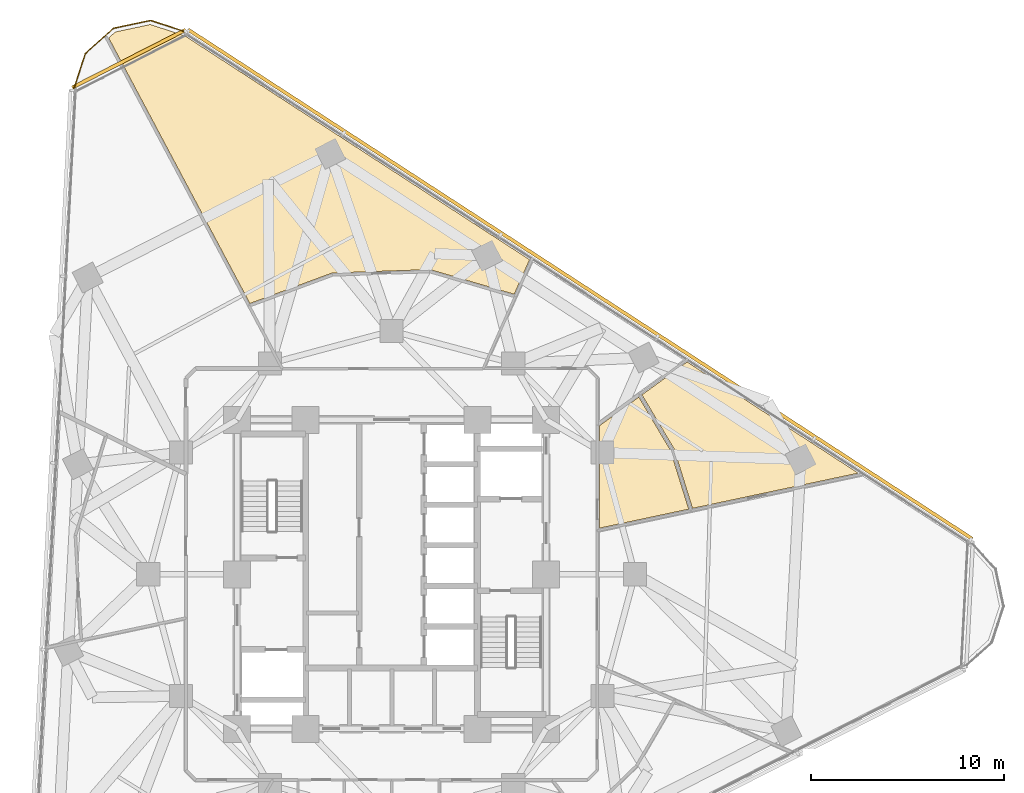
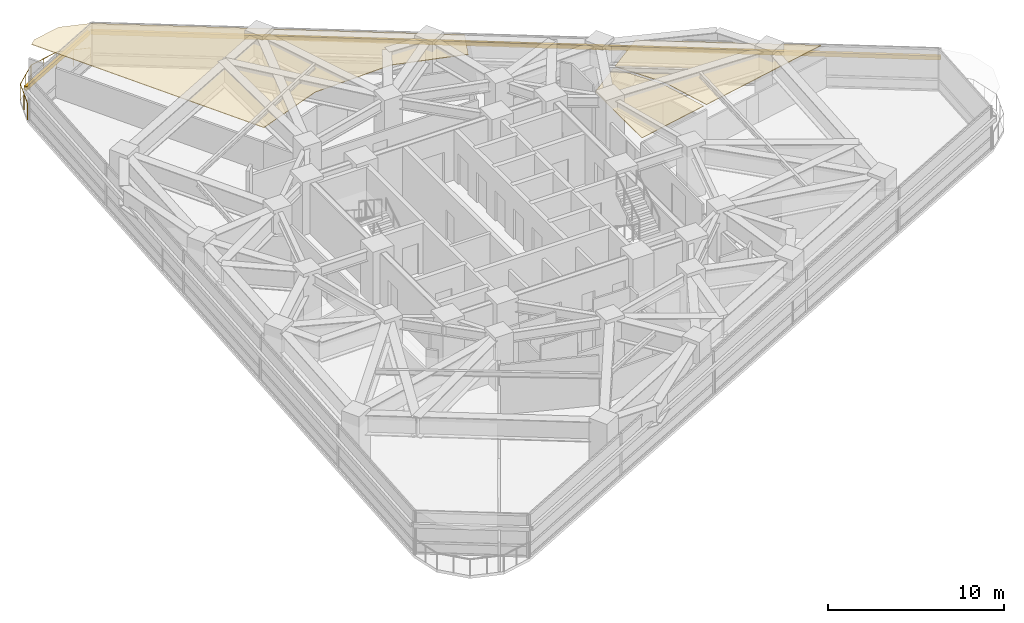
# One storey, part 15 of 15: 3 coverings, 2 shading devices, 1 railing.
"""IFC4 building model written with IfcOpenShell, lengths in metres."""

from ifc_helpers import new_model, si_unit, direction, frame, origin, origin_2d, place, context, subcontext, project, spatial, polyline, rectangle, circle, outline, extrude, material, layer, layer_set, type_object, element, save


model = new_model("IFC4")

# Units and contexts
model_context = context("Model", 3, precision=1e-05, world=origin(), true_north=direction((0.0, 1.0)))
body_context = subcontext(model_context, "Body", "Model", "MODEL_VIEW")
ifc_project = project(units=[si_unit("LENGTHUNIT", "METRE"), si_unit("AREAUNIT", "SQUARE_METRE"), si_unit("VOLUMEUNIT", "CUBIC_METRE"), si_unit("PLANEANGLEUNIT", "RADIAN"), si_unit("MASSUNIT", "GRAM", prefix="KILO")], contexts=[model_context])

# Site, building, storey
site_placement = place(None, origin())
site = spatial("IfcSite", under=ifc_project, at=site_placement, CompositionType="ELEMENT")
building_placement = place(site_placement, origin())
building = spatial("IfcBuilding", under=site, at=building_placement, Name="Terralouvre Media Tower", CompositionType="ELEMENT")
storey_placement = place(building_placement, frame((0.0, 0.0, 145.800048828125)))
storey = spatial("IfcBuildingStorey", under=building, at=storey_placement, Name="L37", CompositionType="ELEMENT", Elevation=145.800048828125)

# Coverings
ifc_material_1 = material(Name="Perforated aluminium acoustic ceiling baffle", Category="aluminium")
ifc_layer_1 = layer(ifc_material_1, 0.0400390625, Name="Perforated Acoustic Metal Tile Ceiling CL-AC1")
ifc_layer_set_1 = layer_set([ifc_layer_1], Name="Perforated aluminium acoustic ceiling baffle")
covering_type = type_object("IfcCoveringType", Name="Perforated Acoustic Metal Tile Ceiling CL-AC1", PredefinedType="CEILING", material=ifc_layer_set_1)
covering_1_placement = place(storey_placement, frame((0.0, 0.0, 2.93994140625), z_axis=(0.0, 0.0, 1.0), x_axis=(0.891006524188, 0.45399049974, 0.0)))
element("IfcCovering", 1, at=covering_1_placement, inside=storey, type_object=covering_type, Name="L37 Editorial Huddle Room 8 Acoustic Ceiling", PredefinedType="CEILING", context=body_context, shape_type="SweptSolid", body=[
    extrude(outline(polyline([(15.9775390625, -0.825439453125), (15.977783203125, -0.83740234375), (15.976318359375, -0.848876953125), (15.43017578125, -4.03076171875), (23.905517578125, -6.30224609375), (18.623046875, 2.848388671875), (15.766845703125, 2.395751953125), (15.9775390625, -0.825439453125)])), origin(), (0.0, 0.0, 1.0), 0.0400390625),
])
covering_2_placement = place(storey_placement, frame((0.0, 0.0, 2.93994140625), z_axis=(0.0, 0.0, 1.0), x_axis=(0.891006524188, 0.45399049974, 0.0)))
element("IfcCovering", 2, at=covering_2_placement, inside=storey, type_object=covering_type, Name="L37 Live Feed Master Control Room 9 Acoustic Ceiling", PredefinedType="CEILING", context=body_context, shape_type="SweptSolid", body=[
    extrude(outline(polyline([(15.77734375, -0.826904296875), (15.568359375, 2.364501953125), (13.068115234375, 1.96875), (10.662109375, -2.753173828125), (15.236328125, -3.978759765625), (15.77734375, -0.826904296875)])), origin(), (0.0, 0.0, 1.0), 0.0400390625),
])
covering_3_placement = place(storey_placement, frame((0.0, 0.0, 2.93994140625), z_axis=(0.0, 0.0, 1.0), x_axis=(0.891006524188, 0.45399049974, 0.0)))
element("IfcCovering", 3, at=covering_3_placement, inside=storey, type_object=covering_type, Name="L37 Anchor Green Lounge 12 Acoustic Ceiling", PredefinedType="CEILING", context=body_context, shape_type="SweptSolid", body=[
    extrude(outline(polyline([(4.322509765625, 15.300048828125), (4.3330078125, 15.298095703125), (4.34326171875, 15.29541015625), (4.35302734375, 15.291259765625), (8.91552734375, 13.1640625), (8.925048828125, 13.1591796875), (8.933837890625, 13.153076171875), (8.94189453125, 13.146240234375), (12.23681640625, 10.037353515625), (13.759765625, 11.271240234375), (3.11474609375, 29.708984375), (1.7861328125, 31.03759765625), (-0.000244140625, 31.515869140625), (-0.4482421875, 31.396484375), (-0.176025390625, 15.825927734375), (4.322509765625, 15.300048828125)])), origin(), (0.0, 0.0, 1.0), 0.0400390625),
])

# Railing
ifc_material_2 = material(Name="Stainless steel 316 handrail and balustrade", Category="steel")
ifc_layer_2 = layer(ifc_material_2, 0.06005859375, Name="Roof Edge Safety Guardrail GR-ROOF1")
ifc_layer_set_2 = layer_set([ifc_layer_2], Name="Stainless steel 316 handrail and balustrade")
railing_type = type_object("IfcRailingType", Name="Roof Edge Safety Guardrail GR-ROOF1", PredefinedType="GUARDRAIL", material=ifc_layer_set_2)
railing_placement = place(storey_placement, frame((-10.611328125, 28.071044921875, 0.0)))
element("IfcRailing", 4, at=railing_placement, inside=storey, type_object=railing_type, Name="L37 Wind-Corner Perimeter Safety Guardrail C2", PredefinedType="GUARDRAIL", context=body_context, shape_type="SweptSolid", body=[
    extrude(circle(Radius=0.02099609375, at=origin_2d()), frame((0.0, 0.0, 1.12890625), z_axis=(-0.950979313277, 0.309254499918, 0.0), x_axis=(-0.309254499918, -0.950979313277, 0.0)), (0.0, 0.0, 1.0), 1.966552734375),
    extrude(circle(Radius=0.02099609375, at=origin_2d()), frame((-1.8701171875, 0.608154296875, 1.12890625), z_axis=(-0.9781553792, -0.207875092647, 0.0), x_axis=(0.207875092647, -0.9781553792, 0.0)), (0.0, 0.0, 1.0), 1.966064453125),
    extrude(circle(Radius=0.02099609375, at=origin_2d()), frame((-3.793212890625, 0.199462890625, 1.12890625), z_axis=(-0.743084172505, -0.66919796217, 0.0), x_axis=(0.66919796217, -0.743084172505, 0.0)), (0.0, 0.0, 1.0), 1.966064453125),
    extrude(circle(Radius=0.02099609375, at=origin_2d()), frame((-5.254150390625, -1.1162109375, 1.12890625), z_axis=(-0.308768829513, -0.951137114154, 0.0), x_axis=(0.951137114154, -0.308768829513, 0.0)), (0.0, 0.0, 1.0), 1.966552734375),
    extrude(circle(Radius=0.01904296875, at=origin_2d()), origin(), (0.0, 0.0, 1.0), 1.10791015625),
    extrude(circle(Radius=0.01904296875, at=origin_2d()), frame((-0.93505859375, 0.30419921875, 0.0)), (0.0, 0.0, 1.0), 1.10791015625),
    extrude(circle(Radius=0.01904296875, at=origin_2d()), frame((-1.8701171875, 0.608154296875, 0.0)), (0.0, 0.0, 1.0), 1.10791015625),
    extrude(circle(Radius=0.01904296875, at=origin_2d()), frame((-2.83154296875, 0.40380859375, 0.0)), (0.0, 0.0, 1.0), 1.10791015625),
    extrude(circle(Radius=0.01904296875, at=origin_2d()), frame((-3.793212890625, 0.199462890625, 0.0)), (0.0, 0.0, 1.0), 1.10791015625),
    extrude(circle(Radius=0.01904296875, at=origin_2d()), frame((-4.523681640625, -0.45849609375, 0.0)), (0.0, 0.0, 1.0), 1.10791015625),
    extrude(circle(Radius=0.01904296875, at=origin_2d()), frame((-5.254150390625, -1.1162109375, 0.0)), (0.0, 0.0, 1.0), 1.10791015625),
    extrude(circle(Radius=0.01904296875, at=origin_2d()), frame((-5.5576171875, -2.05126953125, 0.0)), (0.0, 0.0, 1.0), 1.10791015625),
    extrude(circle(Radius=0.01904296875, at=origin_2d()), frame((-5.861328125, -2.986572265625, 0.0)), (0.0, 0.0, 1.0), 1.10791015625),
])

# Shading devices
ifc_material_3 = material(Name="Extruded terracotta baguette sunshade louvres", Category="masonry")
shading_device_type = type_object("IfcShadingDeviceType", Name="Terracotta Baguette Sunshade Louvre Screen TB-LV1", PredefinedType="USERDEFINED", material=ifc_material_3)
shading_device_1_placement = place(storey_placement, frame((9.755615234375, 15.022216796875, 1.9990234375), z_axis=(0.0, 0.0, 1.0), x_axis=(-0.838670588944, 0.544639002681, 0.0)))
element("IfcShadingDevice", 5, at=shading_device_1_placement, inside=storey, type_object=shading_device_type, Name="CW-L37-F1 Terracotta Baguette Sunshade Louvre", ObjectType="BAGUETTE", PredefinedType="USERDEFINED", context=body_context, shape_type="SweptSolid", body=[
    extrude(rectangle(XDim=48.39990234375, YDim=0.179931640625, at=origin_2d()), origin(), (0.0, 0.0, 1.0), 0.280029296875),
])
shading_device_2_placement = place(storey_placement, frame((-13.603271484375, 26.697998046875, 1.9990234375), z_axis=(0.0, 0.0, 1.0), x_axis=(-0.891006600184, -0.45399035059, 0.0)))
element("IfcShadingDevice", 6, at=shading_device_2_placement, inside=storey, type_object=shading_device_type, Name="CW-L37-C2 Terracotta Baguette Sunshade Louvre", ObjectType="BAGUETTE", PredefinedType="USERDEFINED", context=body_context, shape_type="SweptSolid", body=[
    extrude(rectangle(XDim=6.581787109375, YDim=0.179931640625, at=origin_2d()), origin(), (0.0, 0.0, 1.0), 0.280029296875),
])

save(model, "model.ifc")
